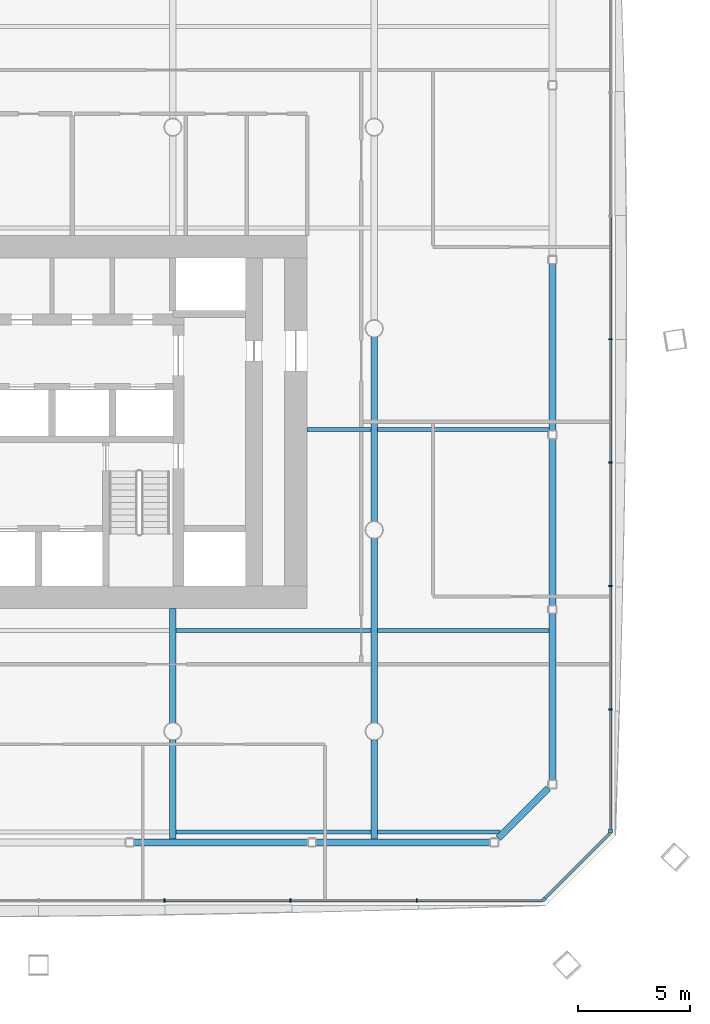
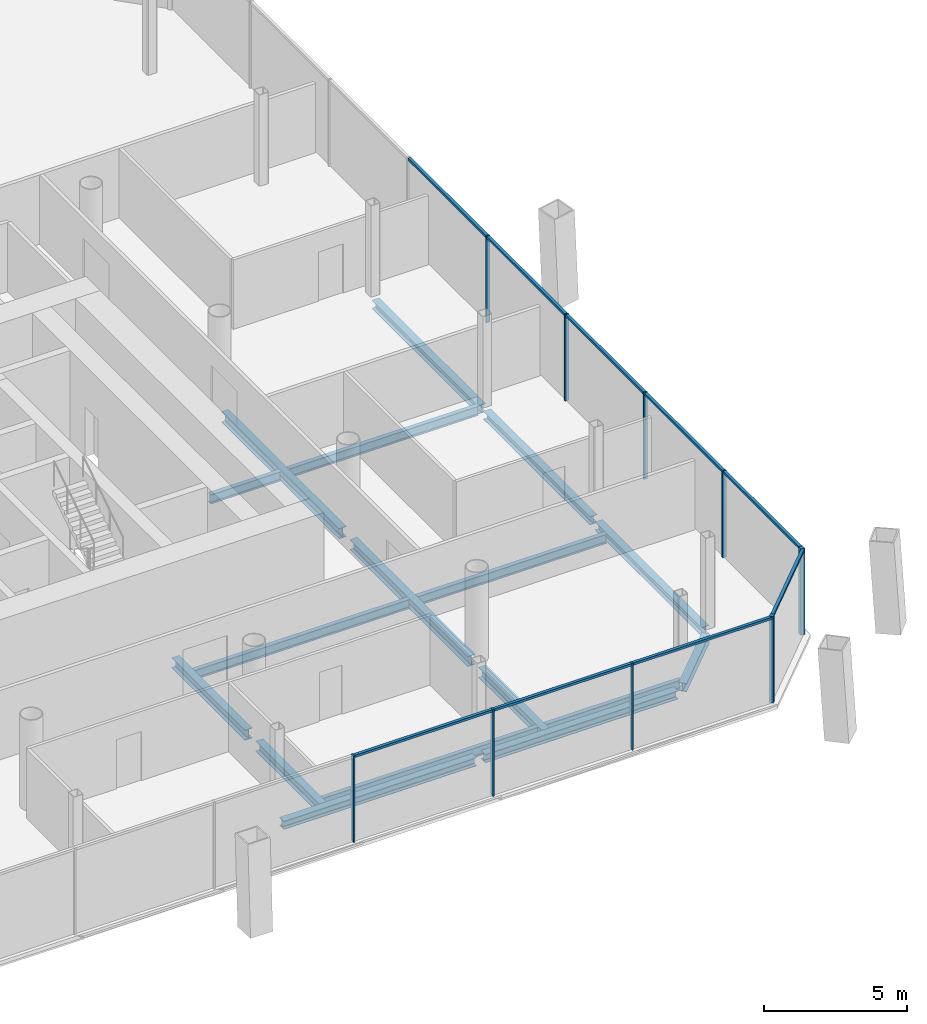
# One storey, part 6 of 20: 18 members, 17 beams, 3 elements without a shape of their own.
"""IFC4 building model written with IfcOpenShell, lengths in metres."""

from ifc_helpers import new_model, si_unit, direction, frame, origin, origin_2d, place, context, subcontext, project, spatial, rectangle, i_section, extrude, material, material_profile, profile_set, type_object, element, aggregate, save


model = new_model("IFC4")

# Units and contexts
model_context = context("Model", 3, precision=1e-05, world=origin(), true_north=direction((0.0, 1.0)))
body_context = subcontext(model_context, "Body", "Model", "MODEL_VIEW")
ifc_project = project(units=[si_unit("LENGTHUNIT", "METRE"), si_unit("AREAUNIT", "SQUARE_METRE"), si_unit("VOLUMEUNIT", "CUBIC_METRE"), si_unit("PLANEANGLEUNIT", "RADIAN"), si_unit("MASSUNIT", "GRAM", prefix="KILO")], contexts=[model_context])

# Site, building, storey
site_placement = place(None, origin())
site = spatial("IfcSite", under=ifc_project, at=site_placement, CompositionType="ELEMENT")
building_placement = place(site_placement, origin())
building = spatial("IfcBuilding", under=site, at=building_placement, Name="Tskaro Facet Tower", CompositionType="ELEMENT")
storey_placement = place(building_placement, frame((0.0, 0.0, 66.0)))
storey = spatial("IfcBuildingStorey", under=building, at=storey_placement, Name="L15", CompositionType="ELEMENT", Elevation=66.0)

# Curtain wall, member
ifc_material_1 = material(Name="Bronze anodised aluminium 6063-T6", Category="aluminium")
curtain_wall_type = type_object("IfcCurtainWallType", Name="Bronze office curtain wall (FW1)", PredefinedType="NOTDEFINED", material=ifc_material_1)
curtain_wall_1_placement = place(storey_placement, origin())
curtain_wall_1 = element("IfcCurtainWall", 1, at=curtain_wall_1_placement, inside=storey, type_object=curtain_wall_type, Name="FW1 south-east facet L15", PredefinedType="NOTDEFINED")
ifc_material_profile_1 = material_profile(ifc_material_1, rectangle(XDim=0.159912109375, YDim=0.159912109375, at=origin_2d()), Name="Corner post 160x160")
ifc_profile_set_1 = profile_set([ifc_material_profile_1], Name="Bronze anodised aluminium 6063-T6")
member_type_1 = type_object("IfcMemberType", Name="FW1 bronze corner post 160x160", PredefinedType="MULLION", material=ifc_profile_set_1)
member_1_placement = place(storey_placement, frame((25.587646484375, -25.50244140625, 0.0), z_axis=(0.0, 0.0, 1.0), x_axis=(0.707106781187, 0.707106781187, 0.0)))
member_1 = element("IfcMember", 2, at=member_1_placement, type_object=member_type_1, Name="FW1 south-east corner post", PredefinedType="MULLION", context=body_context, shape_type="SweptSolid", body=[
    extrude(rectangle(XDim=0.159912109375, YDim=0.159912109375, at=origin_2d()), origin(), (0.0, 0.0, 1.0), 3.699951171875),
])

curtain_wall_2_placement = place(storey_placement, origin())
curtain_wall_2 = element("IfcCurtainWall", 3, at=curtain_wall_2_placement, inside=storey, type_object=curtain_wall_type, Name="FW1 east facet L15", PredefinedType="NOTDEFINED")
member_2_placement = place(storey_placement, frame((28.55908203125, -22.450927734375, 0.0), z_axis=(0.0, 0.0, 1.0), x_axis=(0.0, 1.0, 0.0)))
member_2 = element("IfcMember", 4, at=member_2_placement, type_object=member_type_1, Name="FW1 east corner post", PredefinedType="MULLION", context=body_context, shape_type="SweptSolid", body=[
    extrude(rectangle(XDim=0.159912109375, YDim=0.159912109375, at=origin_2d()), origin(), (0.0, 0.0, 1.0), 3.699951171875),
])

# Curtain wall, members
curtain_wall_3_placement = place(storey_placement, origin())
curtain_wall_3 = element("IfcCurtainWall", 5, at=curtain_wall_3_placement, inside=storey, type_object=curtain_wall_type, Name="FW1 south facet L15", PredefinedType="NOTDEFINED")
ifc_material_profile_2 = material_profile(ifc_material_1, rectangle(XDim=0.06005859375, YDim=0.159912109375, at=origin_2d()), Name="Mullion 60x160")
ifc_profile_set_2 = profile_set([ifc_material_profile_2], Name="Bronze anodised aluminium 6063-T6")
member_type_2 = type_object("IfcMemberType", Name="FW1 bronze mullion 60x160", PredefinedType="MULLION", material=ifc_profile_set_2)
member_3_placement = place(storey_placement, frame((8.6328125, -25.55908203125, 0.0), z_axis=(0.0, 0.0, 1.0), x_axis=(1.0, 0.0, 0.0)))
member_3 = element("IfcMember", 6, at=member_3_placement, type_object=member_type_2, Name="FW1 south mullion 5", PredefinedType="MULLION", context=body_context, shape_type="SweptSolid", body=[
    extrude(rectangle(XDim=0.06005859375, YDim=0.159912109375, at=origin_2d()), origin(), (0.0, 0.0, 1.0), 3.699951171875),
])
member_4_placement = place(storey_placement, frame((14.265380859375, -25.55908203125, 0.0), z_axis=(0.0, 0.0, 1.0), x_axis=(1.0, 0.0, 0.0)))
member_4 = element("IfcMember", 7, at=member_4_placement, type_object=member_type_2, Name="FW1 south mullion 6", PredefinedType="MULLION", context=body_context, shape_type="SweptSolid", body=[
    extrude(rectangle(XDim=0.06005859375, YDim=0.159912109375, at=origin_2d()), origin(), (0.0, 0.0, 1.0), 3.699951171875),
])
member_5_placement = place(storey_placement, frame((19.898193359375, -25.55908203125, 0.0), z_axis=(0.0, 0.0, 1.0), x_axis=(1.0, 0.0, 0.0)))
member_5 = element("IfcMember", 8, at=member_5_placement, type_object=member_type_2, Name="FW1 south mullion 7", PredefinedType="MULLION", context=body_context, shape_type="SweptSolid", body=[
    extrude(rectangle(XDim=0.06005859375, YDim=0.159912109375, at=origin_2d()), origin(), (0.0, 0.0, 1.0), 3.699951171875),
])

# Member
member_6_placement = place(storey_placement, frame((28.55908203125, -17.017822265625, 0.0), z_axis=(0.0, 0.0, 1.0), x_axis=(0.0, 1.0, 0.0)))
member_6 = element("IfcMember", 9, at=member_6_placement, type_object=member_type_2, Name="FW1 east mullion 1", PredefinedType="MULLION", context=body_context, shape_type="SweptSolid", body=[
    extrude(rectangle(XDim=0.06005859375, YDim=0.159912109375, at=origin_2d()), origin(), (0.0, 0.0, 1.0), 3.699951171875),
])

member_7_placement = place(storey_placement, frame((28.55908203125, -11.504638671875, 0.0), z_axis=(0.0, 0.0, 1.0), x_axis=(0.0, 1.0, 0.0)))
member_7 = element("IfcMember", 10, at=member_7_placement, type_object=member_type_2, Name="FW1 east mullion 2", PredefinedType="MULLION", context=body_context, shape_type="SweptSolid", body=[
    extrude(rectangle(XDim=0.06005859375, YDim=0.159912109375, at=origin_2d()), origin(), (0.0, 0.0, 1.0), 3.699951171875),
])

member_8_placement = place(storey_placement, frame((28.55908203125, -5.99169921875, 0.0), z_axis=(0.0, 0.0, 1.0), x_axis=(0.0, 1.0, 0.0)))
member_8 = element("IfcMember", 11, at=member_8_placement, type_object=member_type_2, Name="FW1 east mullion 3", PredefinedType="MULLION", context=body_context, shape_type="SweptSolid", body=[
    extrude(rectangle(XDim=0.06005859375, YDim=0.159912109375, at=origin_2d()), origin(), (0.0, 0.0, 1.0), 3.699951171875),
])

member_9_placement = place(storey_placement, frame((28.55908203125, -0.478515625, 0.0), z_axis=(0.0, 0.0, 1.0), x_axis=(0.0, 1.0, 0.0)))
member_9 = element("IfcMember", 12, at=member_9_placement, type_object=member_type_2, Name="FW1 east mullion 4", PredefinedType="MULLION", context=body_context, shape_type="SweptSolid", body=[
    extrude(rectangle(XDim=0.06005859375, YDim=0.159912109375, at=origin_2d()), origin(), (0.0, 0.0, 1.0), 3.699951171875),
])

ifc_material_profile_3 = material_profile(ifc_material_1, rectangle(XDim=0.1201171875, YDim=0.10009765625, at=origin_2d()), Name="Transom 120x100")
ifc_profile_set_3 = profile_set([ifc_material_profile_3], Name="Bronze anodised aluminium 6063-T6")
member_type_3 = type_object("IfcMemberType", Name="FW1 bronze transom 120x100", PredefinedType="USERDEFINED", material=ifc_profile_set_3)
member_10_placement = place(storey_placement, frame((8.662841796875, -25.55908203125, 3.64990234375), z_axis=(1.0, 0.0, 0.0), x_axis=(0.0, 1.0, 0.0)))
member_10 = element("IfcMember", 13, at=member_10_placement, type_object=member_type_3, Name="FW1 south transom 6.1", ObjectType="TRANSOM", PredefinedType="USERDEFINED", context=body_context, shape_type="SweptSolid", body=[
    extrude(rectangle(XDim=0.1201171875, YDim=0.10009765625, at=origin_2d()), origin(), (0.0, 0.0, 1.0), 5.57275390625),
])

member_11_placement = place(storey_placement, frame((14.29541015625, -25.55908203125, 3.64990234375), z_axis=(1.0, 0.0, 0.0), x_axis=(0.0, 1.0, 0.0)))
member_11 = element("IfcMember", 14, at=member_11_placement, type_object=member_type_3, Name="FW1 south transom 7.1", ObjectType="TRANSOM", PredefinedType="USERDEFINED", context=body_context, shape_type="SweptSolid", body=[
    extrude(rectangle(XDim=0.1201171875, YDim=0.10009765625, at=origin_2d()), origin(), (0.0, 0.0, 1.0), 5.57275390625),
])

member_12_placement = place(storey_placement, frame((19.92822265625, -25.55908203125, 3.64990234375), z_axis=(1.0, 0.0, 0.0), x_axis=(0.0, 1.0, 0.0)))
member_12 = element("IfcMember", 15, at=member_12_placement, type_object=member_type_3, Name="FW1 south transom 8.1", ObjectType="TRANSOM", PredefinedType="USERDEFINED", context=body_context, shape_type="SweptSolid", body=[
    extrude(rectangle(XDim=0.1201171875, YDim=0.10009765625, at=origin_2d()), origin(), (0.0, 0.0, 1.0), 5.602783203125),
])

aggregate(curtain_wall_3, [member_3, member_4, member_5, member_10, member_11, member_12])

member_13_placement = place(storey_placement, frame((25.64404296875, -25.44580078125, 3.64990234375), z_axis=(0.707136392643, 0.70707716849, 0.0), x_axis=(-0.70707716849, 0.707136392643, 0.0)))
member_13 = element("IfcMember", 16, at=member_13_placement, type_object=member_type_3, Name="FW1 south-east transom 1.1", ObjectType="TRANSOM", PredefinedType="USERDEFINED", context=body_context, shape_type="SweptSolid", body=[
    extrude(rectangle(XDim=0.1201171875, YDim=0.10009765625, at=origin_2d()), origin(), (0.0, 0.0, 1.0), 4.122314453125),
])

aggregate(curtain_wall_1, [member_1, member_13])

member_14_placement = place(storey_placement, frame((28.55908203125, -22.37109375, 3.64990234375), z_axis=(0.0, 1.0, 0.0), x_axis=(-1.0, 0.0, 0.0)))
member_14 = element("IfcMember", 17, at=member_14_placement, type_object=member_type_3, Name="FW1 east transom 1.1", ObjectType="TRANSOM", PredefinedType="USERDEFINED", context=body_context, shape_type="SweptSolid", body=[
    extrude(rectangle(XDim=0.1201171875, YDim=0.10009765625, at=origin_2d()), origin(), (0.0, 0.0, 1.0), 5.3232421875),
])

member_15_placement = place(storey_placement, frame((28.55908203125, -16.98779296875, 3.64990234375), z_axis=(0.0, 1.0, 0.0), x_axis=(-1.0, 0.0, 0.0)))
member_15 = element("IfcMember", 18, at=member_15_placement, type_object=member_type_3, Name="FW1 east transom 2.1", ObjectType="TRANSOM", PredefinedType="USERDEFINED", context=body_context, shape_type="SweptSolid", body=[
    extrude(rectangle(XDim=0.1201171875, YDim=0.10009765625, at=origin_2d()), origin(), (0.0, 0.0, 1.0), 5.453125),
])

member_16_placement = place(storey_placement, frame((28.55908203125, -11.474853515625, 3.64990234375), z_axis=(0.0, 1.0, 0.0), x_axis=(-1.0, 0.0, 0.0)))
member_16 = element("IfcMember", 19, at=member_16_placement, type_object=member_type_3, Name="FW1 east transom 3.1", ObjectType="TRANSOM", PredefinedType="USERDEFINED", context=body_context, shape_type="SweptSolid", body=[
    extrude(rectangle(XDim=0.1201171875, YDim=0.10009765625, at=origin_2d()), origin(), (0.0, 0.0, 1.0), 5.453125),
])

member_17_placement = place(storey_placement, frame((28.55908203125, -5.961669921875, 3.64990234375), z_axis=(0.0, 1.0, 0.0), x_axis=(-1.0, 0.0, 0.0)))
member_17 = element("IfcMember", 20, at=member_17_placement, type_object=member_type_3, Name="FW1 east transom 4.1", ObjectType="TRANSOM", PredefinedType="USERDEFINED", context=body_context, shape_type="SweptSolid", body=[
    extrude(rectangle(XDim=0.1201171875, YDim=0.10009765625, at=origin_2d()), origin(), (0.0, 0.0, 1.0), 5.453125),
])

member_18_placement = place(storey_placement, frame((28.55908203125, -0.448486328125, 3.64990234375), z_axis=(0.0, 1.0, 0.0), x_axis=(-1.0, 0.0, 0.0)))
member_18 = element("IfcMember", 21, at=member_18_placement, type_object=member_type_3, Name="FW1 east transom 5.1", ObjectType="TRANSOM", PredefinedType="USERDEFINED", context=body_context, shape_type="SweptSolid", body=[
    extrude(rectangle(XDim=0.1201171875, YDim=0.10009765625, at=origin_2d()), origin(), (0.0, 0.0, 1.0), 5.453125),
])

aggregate(curtain_wall_2, [member_2, member_6, member_7, member_8, member_9, member_14, member_15, member_16, member_17, member_18])

# Beams
ifc_material_2 = material(Name="Steel S355J2", Category="steel")
ifc_material_profile_4 = material_profile(ifc_material_2, i_section(OverallWidth=0.300048828125, OverallDepth=0.360107421875, WebThickness=0.012451171875, FlangeThickness=0.0224609375, FilletRadius=0.027099609375, at=origin_2d()), Name="HE 360 B")
ifc_profile_set_4 = profile_set([ifc_material_profile_4], Name="Steel S355J2")
beam_type_1 = type_object("IfcBeamType", Name="HE 360 B ring beam", PredefinedType="BEAM", material=ifc_profile_set_4)
beam_1_placement = place(storey_placement, frame((7.2529296875, -22.965087890625, -0.320068359375), z_axis=(1.0, 0.0, 0.0), x_axis=(0.0, 1.0, 0.0)))
element("IfcBeam", 22, at=beam_1_placement, inside=storey, type_object=beam_type_1, Name="HE 360 B EB4-2", PredefinedType="BEAM", context=body_context, shape_type="SweptSolid", body=[
    extrude(i_section(OverallWidth=0.300048828125, OverallDepth=0.360107421875, WebThickness=0.012451171875, FlangeThickness=0.0224609375, FilletRadius=0.027099609375, at=origin_2d()), origin(), (0.0, 0.0, 1.0), 7.78515625),
])
beam_2_placement = place(storey_placement, frame((15.39794921875, -22.965087890625, -0.320068359375), z_axis=(1.0, 0.0, 0.0), x_axis=(0.0, 1.0, 0.0)))
element("IfcBeam", 23, at=beam_2_placement, inside=storey, type_object=beam_type_1, Name="HE 360 B EB5-2", PredefinedType="BEAM", context=body_context, shape_type="SweptSolid", body=[
    extrude(i_section(OverallWidth=0.300048828125, OverallDepth=0.360107421875, WebThickness=0.012451171875, FlangeThickness=0.0224609375, FilletRadius=0.027099609375, at=origin_2d()), origin(), (0.0, 0.0, 1.0), 7.7861328125),
])
beam_3_placement = place(storey_placement, frame((23.5498046875, -22.779052734375, -0.320068359375), z_axis=(0.707106781187, 0.707106781187, 0.0), x_axis=(-0.707106781187, 0.707106781187, 0.0)))
element("IfcBeam", 24, at=beam_3_placement, inside=storey, type_object=beam_type_1, Name="HE 360 B EB6-2", PredefinedType="BEAM", context=body_context, shape_type="SweptSolid", body=[
    extrude(i_section(OverallWidth=0.300048828125, OverallDepth=0.360107421875, WebThickness=0.012451171875, FlangeThickness=0.0224609375, FilletRadius=0.027099609375, at=origin_2d()), origin(), (0.0, 0.0, 1.0), 3.152587890625),
])
beam_4_placement = place(storey_placement, frame((25.965087890625, -20.18408203125, -0.320068359375), z_axis=(0.0, 1.0, 0.0), x_axis=(-1.0, 0.0, 0.0)))
element("IfcBeam", 25, at=beam_4_placement, inside=storey, type_object=beam_type_1, Name="HE 360 B EB7-2", PredefinedType="BEAM", context=body_context, shape_type="SweptSolid", body=[
    extrude(i_section(OverallWidth=0.300048828125, OverallDepth=0.360107421875, WebThickness=0.012451171875, FlangeThickness=0.0224609375, FilletRadius=0.027099609375, at=origin_2d()), origin(), (0.0, 0.0, 1.0), 7.451171875),
])
beam_5_placement = place(storey_placement, frame((25.965087890625, -12.373046875, -0.320068359375), z_axis=(0.0, 1.0, 0.0), x_axis=(-1.0, 0.0, 0.0)))
element("IfcBeam", 26, at=beam_5_placement, inside=storey, type_object=beam_type_1, Name="HE 360 B EB8-2", PredefinedType="BEAM", context=body_context, shape_type="SweptSolid", body=[
    extrude(i_section(OverallWidth=0.300048828125, OverallDepth=0.360107421875, WebThickness=0.012451171875, FlangeThickness=0.0224609375, FilletRadius=0.027099609375, at=origin_2d()), origin(), (0.0, 0.0, 1.0), 7.450927734375),
])
beam_6_placement = place(storey_placement, frame((25.965087890625, -4.56201171875, -0.320068359375), z_axis=(0.0, 1.0, 0.0), x_axis=(-1.0, 0.0, 0.0)))
element("IfcBeam", 27, at=beam_6_placement, inside=storey, type_object=beam_type_1, Name="HE 360 B EB9-2", PredefinedType="BEAM", context=body_context, shape_type="SweptSolid", body=[
    extrude(i_section(OverallWidth=0.300048828125, OverallDepth=0.360107421875, WebThickness=0.012451171875, FlangeThickness=0.0224609375, FilletRadius=0.027099609375, at=origin_2d()), origin(), (0.0, 0.0, 1.0), 7.449951171875),
])
ifc_material_profile_5 = material_profile(ifc_material_2, i_section(OverallWidth=0.300048828125, OverallDepth=0.43994140625, WebThickness=0.011474609375, FlangeThickness=0.02099609375, FilletRadius=0.027099609375, at=origin_2d()), Name="HE 450 A")
ifc_profile_set_5 = profile_set([ifc_material_profile_5], Name="Steel S355J2")
beam_type_2 = type_object("IfcBeamType", Name="HE 450 A girder", PredefinedType="BEAM", material=ifc_profile_set_5)
beam_7_placement = place(storey_placement, frame((9.0, -22.81494140625, -0.360107421875), z_axis=(0.0, 1.0, 0.0), x_axis=(-1.0, 0.0, 0.0)))
element("IfcBeam", 28, at=beam_7_placement, inside=storey, type_object=beam_type_2, Name="HE 450 A GB5-1-2", PredefinedType="BEAM", context=body_context, shape_type="SweptSolid", body=[
    extrude(i_section(OverallWidth=0.300048828125, OverallDepth=0.43994140625, WebThickness=0.011474609375, FlangeThickness=0.02099609375, FilletRadius=0.027099609375, at=origin_2d()), origin(), (0.0, 0.0, 1.0), 4.4384765625),
])
beam_8_placement = place(storey_placement, frame((9.0, -17.62353515625, -0.360107421875), z_axis=(0.0, 1.0, 0.0), x_axis=(-1.0, 0.0, 0.0)))
element("IfcBeam", 29, at=beam_8_placement, inside=storey, type_object=beam_type_2, Name="HE 450 A GB5-2-2", PredefinedType="BEAM", context=body_context, shape_type="SweptSolid", body=[
    extrude(i_section(OverallWidth=0.300048828125, OverallDepth=0.43994140625, WebThickness=0.011474609375, FlangeThickness=0.02099609375, FilletRadius=0.027099609375, at=origin_2d()), origin(), (0.0, 0.0, 1.0), 5.12353515625),
])
beam_9_placement = place(storey_placement, frame((18.0, -22.81494140625, -0.360107421875), z_axis=(0.0, 1.0, 0.0), x_axis=(-1.0, 0.0, 0.0)))
element("IfcBeam", 30, at=beam_9_placement, inside=storey, type_object=beam_type_2, Name="HE 450 A GB6-1-2", PredefinedType="BEAM", context=body_context, shape_type="SweptSolid", body=[
    extrude(i_section(OverallWidth=0.300048828125, OverallDepth=0.43994140625, WebThickness=0.011474609375, FlangeThickness=0.02099609375, FilletRadius=0.027099609375, at=origin_2d()), origin(), (0.0, 0.0, 1.0), 4.4384765625),
])
for number, where, z_axis, x_axis, name in (
    (31, (18.0, -17.62353515625, -0.360107421875), (0.0, 1.0, 0.0), (-1.0, 0.0, 0.0), "HE 450 A GB6-2-2"),
    (32, (18.0, -8.62353515625, -0.360107421875), (0.0, 1.0, 0.0), (-1.0, 0.0, 0.0), "HE 450 A GB6-3-2"),
):
    element("IfcBeam", number, at=place(storey_placement, frame(where, z_axis=z_axis, x_axis=x_axis)), inside=storey, type_object=beam_type_2, Name=name, PredefinedType="BEAM", context=body_context, shape_type="SweptSolid", body=[
        extrude(i_section(OverallWidth=0.300048828125, OverallDepth=0.43994140625, WebThickness=0.011474609375, FlangeThickness=0.02099609375, FilletRadius=0.027099609375, at=origin_2d()), origin(), (0.0, 0.0, 1.0), 8.2470703125),
    ])
ifc_material_profile_6 = material_profile(ifc_material_2, i_section(OverallWidth=0.179931640625, OverallDepth=0.39990234375, WebThickness=0.008544921875, FlangeThickness=0.013427734375, FilletRadius=0.02099609375, at=origin_2d()), Name="IPE 400")
ifc_profile_set_6 = profile_set([ifc_material_profile_6], Name="Steel S355J2")
beam_type_3 = type_object("IfcBeamType", Name="IPE 400 secondary beam", PredefinedType="BEAM", material=ifc_profile_set_6)
beam_10_placement = place(storey_placement, frame((9.14990234375, -22.5, -0.340087890625), z_axis=(1.0, 0.0, 0.0), x_axis=(0.0, 1.0, 0.0)))
element("IfcBeam", 33, at=beam_10_placement, inside=storey, type_object=beam_type_3, Name="IPE 400 SB1a-4-2", PredefinedType="BEAM", context=body_context, shape_type="SweptSolid", body=[
    extrude(i_section(OverallWidth=0.179931640625, OverallDepth=0.39990234375, WebThickness=0.008544921875, FlangeThickness=0.013427734375, FilletRadius=0.02099609375, at=origin_2d()), origin(), (0.0, 0.0, 1.0), 8.7001953125),
])
beam_11_placement = place(storey_placement, frame((18.14990234375, -22.5, -0.340087890625), z_axis=(1.0, 0.0, 0.0), x_axis=(0.0, 1.0, 0.0)))
element("IfcBeam", 34, at=beam_11_placement, inside=storey, type_object=beam_type_3, Name="IPE 400 SB1a-5-2", PredefinedType="BEAM", context=body_context, shape_type="SweptSolid", body=[
    extrude(i_section(OverallWidth=0.179931640625, OverallDepth=0.39990234375, WebThickness=0.008544921875, FlangeThickness=0.013427734375, FilletRadius=0.02099609375, at=origin_2d()), origin(), (0.0, 0.0, 1.0), 5.467041015625),
])
beam_12_placement = place(storey_placement, frame((9.14990234375, -13.5, -0.340087890625), z_axis=(1.0, 0.0, 0.0), x_axis=(0.0, 1.0, 0.0)))
element("IfcBeam", 35, at=beam_12_placement, inside=storey, type_object=beam_type_3, Name="IPE 400 SB2a-4-2", PredefinedType="BEAM", context=body_context, shape_type="SweptSolid", body=[
    extrude(i_section(OverallWidth=0.179931640625, OverallDepth=0.39990234375, WebThickness=0.008544921875, FlangeThickness=0.013427734375, FilletRadius=0.02099609375, at=origin_2d()), origin(), (0.0, 0.0, 1.0), 8.7001953125),
])
beam_13_placement = place(storey_placement, frame((18.14990234375, -13.5, -0.340087890625), z_axis=(1.0, 0.0, 0.0), x_axis=(0.0, 1.0, 0.0)))
element("IfcBeam", 36, at=beam_13_placement, inside=storey, type_object=beam_type_3, Name="IPE 400 SB2a-5-2", PredefinedType="BEAM", context=body_context, shape_type="SweptSolid", body=[
    extrude(i_section(OverallWidth=0.179931640625, OverallDepth=0.39990234375, WebThickness=0.008544921875, FlangeThickness=0.013427734375, FilletRadius=0.02099609375, at=origin_2d()), origin(), (0.0, 0.0, 1.0), 7.6650390625),
])
beam_14_placement = place(storey_placement, frame((15.0, -4.5, -0.340087890625), z_axis=(1.0, 0.0, 0.0), x_axis=(0.0, 1.0, 0.0)))
element("IfcBeam", 37, at=beam_14_placement, inside=storey, type_object=beam_type_3, Name="IPE 400 SB3a-2-2", PredefinedType="BEAM", context=body_context, shape_type="SweptSolid", body=[
    extrude(i_section(OverallWidth=0.179931640625, OverallDepth=0.39990234375, WebThickness=0.008544921875, FlangeThickness=0.013427734375, FilletRadius=0.02099609375, at=origin_2d()), origin(), (0.0, 0.0, 1.0), 2.85009765625),
])
beam_15_placement = place(storey_placement, frame((18.14990234375, -4.5, -0.340087890625), z_axis=(1.0, 0.0, 0.0), x_axis=(0.0, 1.0, 0.0)))
element("IfcBeam", 38, at=beam_15_placement, inside=storey, type_object=beam_type_3, Name="IPE 400 SB3a-3-2", PredefinedType="BEAM", context=body_context, shape_type="SweptSolid", body=[
    extrude(i_section(OverallWidth=0.179931640625, OverallDepth=0.39990234375, WebThickness=0.008544921875, FlangeThickness=0.013427734375, FilletRadius=0.02099609375, at=origin_2d()), origin(), (0.0, 0.0, 1.0), 7.6650390625),
])

save(model, "model.ifc")
